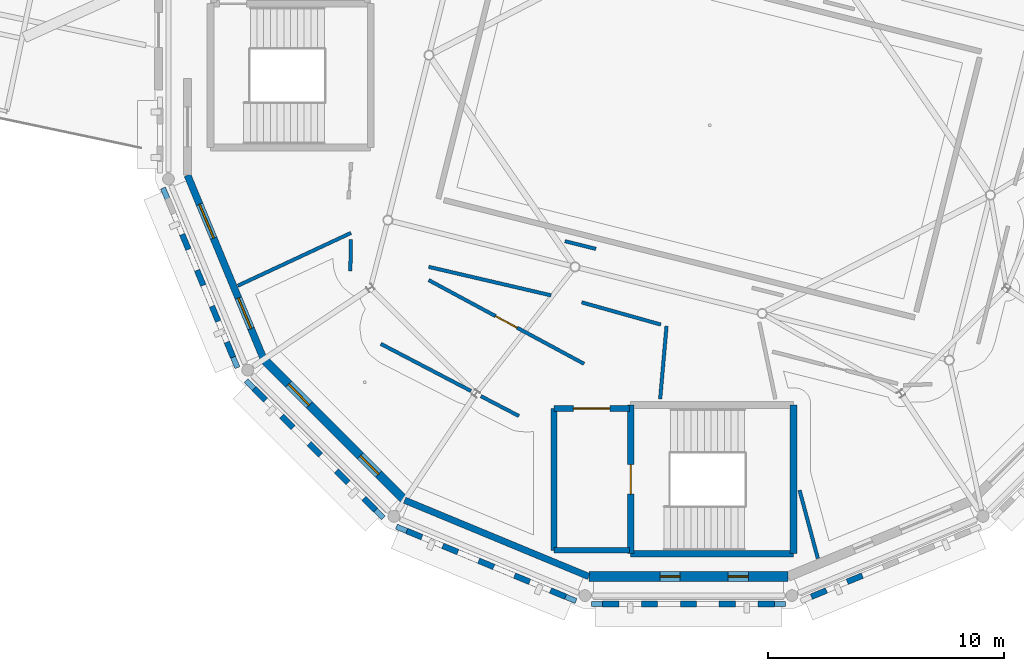
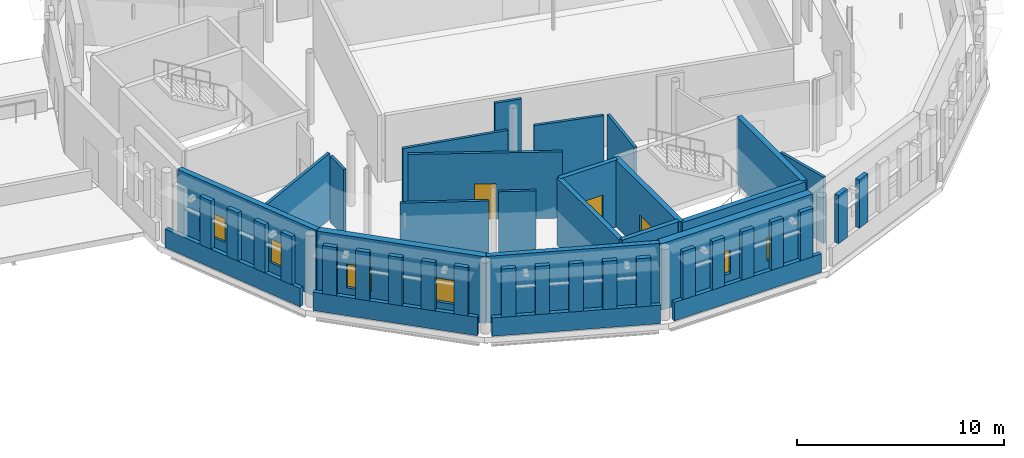
# One storey, part 63 of 90: 45 walls, 6 windows, 3 doors, 9 openings.
"""IFC4 building model written with IfcOpenShell, lengths in metres."""

from ifc_helpers import new_model, si_unit, direction, frame, frame_2d, origin, place, context, subcontext, project, spatial, rectangle, extrude, material, layer, layer_set, type_object, element, fill, save


model = new_model("IFC4")

# Units and contexts
model_context = context("Model", 3, precision=1e-05, world=origin(), true_north=direction((0.0, 1.0)))
body_context = subcontext(model_context, "Body", "Model", "MODEL_VIEW")
ifc_project = project(units=[si_unit("LENGTHUNIT", "METRE"), si_unit("AREAUNIT", "SQUARE_METRE"), si_unit("VOLUMEUNIT", "CUBIC_METRE"), si_unit("PLANEANGLEUNIT", "RADIAN"), si_unit("MASSUNIT", "GRAM", prefix="KILO")], contexts=[model_context])

# Site, building, storey
site_placement = place(None, origin())
site = spatial("IfcSite", under=ifc_project, at=site_placement, CompositionType="ELEMENT")
building_placement = place(site_placement, origin())
building = spatial("IfcBuilding", under=site, at=building_placement, Name="Wrenclough Park School", CompositionType="ELEMENT")
storey_placement = place(building_placement, frame((0.0, 0.0, 8.39990234375)))
storey = spatial("IfcBuildingStorey", under=building, at=storey_placement, Name="L02", CompositionType="ELEMENT", Elevation=8.39990234375)

# Walls
ifc_material_1 = material(Name="Perforated open-bond Staffordshire and Manchester brick screen pier", Category="masonry")
ifc_layer_1 = layer(ifc_material_1, 0.2451171875)
ifc_layer_set_1 = layer_set([ifc_layer_1], Name="Perforated open-bond Staffordshire and Manchester brick screen pier")
wall_type_1 = type_object("IfcWallType", Name="ENV-BS-PR245", PredefinedType="ELEMENTEDWALL", material=ifc_layer_set_1)
wall_1_placement = place(storey_placement, frame((134.063232421875, 19.77587890625, 1.090087890625), z_axis=(0.0, 0.0, 1.0), x_axis=(0.382757564877, -0.923848822335, 0.0)))
element("IfcWall", 1, at=wall_1_placement, inside=storey, type_object=wall_type_1, Name="D1 L02 perforated brick screen pier 0415", PredefinedType="ELEMENTEDWALL", context=body_context, shape_type="SweptSolid", body=[
    extrude(rectangle(XDim=0.690673828125, YDim=0.2451171875, at=frame_2d((0.34521484375, 0.0))), origin(), (0.0, 0.0, 1.0), 2.85009765625),
])
for number, where, z_axis, x_axis, name in (
    (2, (134.693115234375, 18.25537109375, 1.090087890625), (0.0, 0.0, 1.0), (0.38263262807, -0.923900574703, 0.0), "D1 L02 perforated brick screen pier 0416"),
    (3, (135.322998046875, 16.734619140625, 1.090087890625), (0.0, 0.0, 1.0), (0.38263262807, -0.923900574703, 0.0), "D1 L02 perforated brick screen pier 0417"),
    (4, (135.952880859375, 15.214111328125, 1.090087890625), (0.0, 0.0, 1.0), (0.38263262807, -0.923900574703, 0.0), "D1 L02 perforated brick screen pier 0418"),
):
    element("IfcWall", number, at=place(storey_placement, frame(where, z_axis=z_axis, x_axis=x_axis)), inside=storey, type_object=wall_type_1, Name=name, PredefinedType="ELEMENTEDWALL", context=body_context, shape_type="SweptSolid", body=[
        extrude(rectangle(XDim=0.69091796875, YDim=0.2451171875, at=frame_2d((0.345458984375, 0.0))), origin(), (0.0, 0.0, 1.0), 2.85009765625),
    ])
wall_2_placement = place(storey_placement, frame((137.104248046875, 13.248291015625, 1.090087890625), z_axis=(0.0, 0.0, 1.0), x_axis=(0.707283403329, -0.706930114916, 0.0)))
element("IfcWall", 5, at=wall_2_placement, inside=storey, type_object=wall_type_1, Name="D1 L02 perforated brick screen pier 0419", PredefinedType="ELEMENTEDWALL", context=body_context, shape_type="SweptSolid", body=[
    extrude(rectangle(XDim=0.691162109375, YDim=0.2451171875, at=frame_2d((0.345703125, 0.0))), origin(), (0.0, 0.0, 1.0), 2.85009765625),
])
wall_3_placement = place(storey_placement, frame((138.268310546875, 12.08447265625, 1.090087890625), z_axis=(0.0, 0.0, 1.0), x_axis=(0.707106781187, -0.707106781187, 0.0)))
element("IfcWall", 6, at=wall_3_placement, inside=storey, type_object=wall_type_1, Name="D1 L02 perforated brick screen pier 0420", PredefinedType="ELEMENTEDWALL", context=body_context, shape_type="SweptSolid", body=[
    extrude(rectangle(XDim=0.69091796875, YDim=0.2451171875, at=frame_2d((0.345458984375, 0.0))), origin(), (0.0, 0.0, 1.0), 2.85009765625),
])
wall_4_placement = place(storey_placement, frame((139.431884765625, 10.920654296875, 1.090087890625), z_axis=(0.0, 0.0, 1.0), x_axis=(0.707106781187, -0.707106781187, 0.0)))
element("IfcWall", 7, at=wall_4_placement, inside=storey, type_object=wall_type_1, Name="D1 L02 perforated brick screen pier 0421", PredefinedType="ELEMENTEDWALL", context=body_context, shape_type="SweptSolid", body=[
    extrude(rectangle(XDim=0.691162109375, YDim=0.2451171875, at=frame_2d((0.345703125, 0.0))), origin(), (0.0, 0.0, 1.0), 2.85009765625),
])
wall_5_placement = place(storey_placement, frame((140.595947265625, 9.7568359375, 1.090087890625), z_axis=(0.0, 0.0, 1.0), x_axis=(0.707106781187, -0.707106781187, 0.0)))
element("IfcWall", 8, at=wall_5_placement, inside=storey, type_object=wall_type_1, Name="D1 L02 perforated brick screen pier 0422", PredefinedType="ELEMENTEDWALL", context=body_context, shape_type="SweptSolid", body=[
    extrude(rectangle(XDim=0.69091796875, YDim=0.2451171875, at=frame_2d((0.345458984375, 0.0))), origin(), (0.0, 0.0, 1.0), 2.85009765625),
])
wall_6_placement = place(storey_placement, frame((141.759765625, 8.593017578125, 1.090087890625), z_axis=(0.0, 0.0, 1.0), x_axis=(0.706930114916, -0.707283403329, 0.0)))
element("IfcWall", 9, at=wall_6_placement, inside=storey, type_object=wall_type_1, Name="D1 L02 perforated brick screen pier 0423", PredefinedType="ELEMENTEDWALL", context=body_context, shape_type="SweptSolid", body=[
    extrude(rectangle(XDim=0.691162109375, YDim=0.2451171875, at=frame_2d((0.345703125, 0.0))), origin(), (0.0, 0.0, 1.0), 2.85009765625),
])
for number, where, z_axis, x_axis, name in (
    (10, (143.57568359375, 7.21728515625, 1.090087890625), (0.0, 0.0, 1.0), (0.923900574703, -0.38263262807, 0.0), "D1 L02 perforated brick screen pier 0424"),
    (11, (145.09619140625, 6.58740234375, 1.090087890625), (0.0, 0.0, 1.0), (0.923900574703, -0.38263262807, 0.0), "D1 L02 perforated brick screen pier 0425"),
    (12, (146.616943359375, 5.95751953125, 1.090087890625), (0.0, 0.0, 1.0), (0.923900574703, -0.38263262807, 0.0), "D1 L02 perforated brick screen pier 0426"),
):
    element("IfcWall", number, at=place(storey_placement, frame(where, z_axis=z_axis, x_axis=x_axis)), inside=storey, type_object=wall_type_1, Name=name, PredefinedType="ELEMENTEDWALL", context=body_context, shape_type="SweptSolid", body=[
        extrude(rectangle(XDim=0.69091796875, YDim=0.2451171875, at=frame_2d((0.345458984375, 0.0))), origin(), (0.0, 0.0, 1.0), 2.85009765625),
    ])
wall_7_placement = place(storey_placement, frame((148.1376953125, 5.32763671875, 1.090087890625), z_axis=(0.0, 0.0, 1.0), x_axis=(0.923848822335, -0.382757564877, 0.0)))
element("IfcWall", 13, at=wall_7_placement, inside=storey, type_object=wall_type_1, Name="D1 L02 perforated brick screen pier 0427", PredefinedType="ELEMENTEDWALL", context=body_context, shape_type="SweptSolid", body=[
    extrude(rectangle(XDim=0.690673828125, YDim=0.2451171875, at=frame_2d((0.34521484375, 0.0))), origin(), (0.0, 0.0, 1.0), 2.85009765625),
])
wall_8_placement = place(storey_placement, frame((149.658203125, 4.697998046875, 1.090087890625), z_axis=(0.0, 0.0, 1.0), x_axis=(0.92377564286, -0.382934147939, 0.0)))
element("IfcWall", 14, at=wall_8_placement, inside=storey, type_object=wall_type_1, Name="D1 L02 perforated brick screen pier 0428", PredefinedType="ELEMENTEDWALL", context=body_context, shape_type="SweptSolid", body=[
    extrude(rectangle(XDim=0.691162109375, YDim=0.2451171875, at=frame_2d((0.345703125, 0.0))), origin(), (0.0, 0.0, 1.0), 2.85009765625),
])
for number, where, z_axis, x_axis, name in (
    (15, (151.862548828125, 4.121826171875, 1.090087890625), (0.0, 0.0, 1.0), (1.0, 0.0, 0.0), "D1 L02 perforated brick screen pier 0429"),
    (16, (153.508544921875, 4.121826171875, 1.090087890625), (0.0, 0.0, 1.0), (1.0, 0.0, 0.0), "D1 L02 perforated brick screen pier 0430"),
    (17, (155.154541015625, 4.121826171875, 1.090087890625), (0.0, 0.0, 1.0), (1.0, 0.0, 0.0), "D1 L02 perforated brick screen pier 0431"),
    (18, (156.800537109375, 4.121826171875, 1.090087890625), (0.0, 0.0, 1.0), (1.0, 0.0, 0.0), "D1 L02 perforated brick screen pier 0432"),
    (19, (158.446533203125, 4.121826171875, 1.090087890625), (0.0, 0.0, 1.0), (1.0, 0.0, 0.0), "D1 L02 perforated brick screen pier 0433"),
):
    element("IfcWall", number, at=place(storey_placement, frame(where, z_axis=z_axis, x_axis=x_axis)), inside=storey, type_object=wall_type_1, Name=name, PredefinedType="ELEMENTEDWALL", context=body_context, shape_type="SweptSolid", body=[
        extrude(rectangle(XDim=0.69091796875, YDim=0.2451171875, at=frame_2d((0.345458984375, 0.0))), origin(), (0.0, 0.0, 1.0), 2.85009765625),
    ])
wall_9_placement = place(storey_placement, frame((160.703369140625, 4.433349609375, 1.090087890625), z_axis=(0.0, 0.0, 1.0), x_axis=(0.92377564286, 0.382934147939, 0.0)))
element("IfcWall", 20, at=wall_9_placement, inside=storey, type_object=wall_type_1, Name="D1 L02 perforated brick screen pier 0434", PredefinedType="ELEMENTEDWALL", context=body_context, shape_type="SweptSolid", body=[
    extrude(rectangle(XDim=0.691162109375, YDim=0.2451171875, at=frame_2d((0.345703125, 0.0))), origin(), (0.0, 0.0, 1.0), 2.85009765625),
])
wall_10_placement = place(storey_placement, frame((162.22412109375, 5.063232421875, 1.090087890625), z_axis=(0.0, 0.0, 1.0), x_axis=(0.923848822335, 0.382757564877, 0.0)))
element("IfcWall", 21, at=wall_10_placement, inside=storey, type_object=wall_type_1, Name="D1 L02 perforated brick screen pier 0435", PredefinedType="ELEMENTEDWALL", context=body_context, shape_type="SweptSolid", body=[
    extrude(rectangle(XDim=0.690673828125, YDim=0.2451171875, at=frame_2d((0.34521484375, 0.0))), origin(), (0.0, 0.0, 1.0), 2.85009765625),
])
ifc_material_2 = material(Name="Open-bond Manchester multi-stock brick spandrel screen", Category="masonry")
ifc_layer_2 = layer(ifc_material_2, 0.22509765625)
ifc_layer_set_2 = layer_set([ifc_layer_2], Name="Open-bond Manchester multi-stock brick spandrel screen")
wall_type_2 = type_object("IfcWallType", Name="ENV-BS-SP225", PredefinedType="ELEMENTEDWALL", material=ifc_layer_set_2)
for number, where, z_axis, x_axis, name in (
    (22, (133.250732421875, 21.73779296875, 0.0), (0.0, 0.0, 1.0), (0.382687155267, -0.923877990426, 0.0), "D1 L02 open-bond brick screen spandrel 0116"),
    (23, (136.7666015625, 13.5859375, 0.0), (0.0, 0.0, 1.0), (0.707106781187, -0.707106781187, 0.0), "D1 L02 open-bond brick screen spandrel 0117"),
    (24, (143.134521484375, 7.400146484375, 0.0), (0.0, 0.0, 1.0), (0.923877990426, -0.382687155267, 0.0), "D1 L02 open-bond brick screen spandrel 0118"),
):
    element("IfcWall", number, at=place(storey_placement, frame(where, z_axis=z_axis, x_axis=x_axis)), inside=storey, type_object=wall_type_2, Name=name, PredefinedType="ELEMENTEDWALL", context=body_context, shape_type="SweptSolid", body=[
        extrude(rectangle(XDim=8.229736328125, YDim=0.22509765625, at=frame_2d((4.11474609375, 0.0))), origin(), (0.0, 0.0, 1.0), 1.090087890625),
    ])
wall_11_placement = place(storey_placement, frame((151.385009765625, 4.121826171875, 0.0), z_axis=(0.0, 0.0, 1.0), x_axis=(1.0, 0.0, 0.0)))
element("IfcWall", 25, at=wall_11_placement, inside=storey, type_object=wall_type_2, Name="D1 L02 open-bond brick screen spandrel 0119", PredefinedType="ELEMENTEDWALL", context=body_context, shape_type="SweptSolid", body=[
    extrude(rectangle(XDim=8.22998046875, YDim=0.22509765625, at=frame_2d((4.114990234375, 0.0))), origin(), (0.0, 0.0, 1.0), 1.090087890625),
])
ifc_material_3 = material(Name="Link wing brick-faced cavity wall Concrete C32/40", Category="masonry")
ifc_layer_3 = layer(ifc_material_3, 0.27490234375)
ifc_layer_set_3 = layer_set([ifc_layer_3], Name="Link wing brick-faced cavity wall Concrete C32/40")
wall_type_3 = type_object("IfcWallType", Name="ENV-EW-275", PredefinedType="SOLIDWALL", material=ifc_layer_set_3)
wall_12_placement = place(storey_placement, frame((151.28076171875, 5.287841796875, 0.0), z_axis=(0.0, 0.0, 1.0), x_axis=(-0.923884604839, 0.382671186453, 0.0)))
element("IfcWall", 26, at=wall_12_placement, inside=storey, type_object=wall_type_3, Name="L02 insulated brick external wall 0206", PredefinedType="SOLIDWALL", context=body_context, shape_type="SweptSolid", body=[
    extrude(rectangle(XDim=8.438720703125, YDim=0.27490234375, at=frame_2d((4.21923828125, 0.0))), origin(), (0.0, 0.0, 1.0), 3.940185546875),
])

# Wall, openings, windows
ifc_material_4 = material(Name="Manchester multi-stock brick and Concrete C32/40 inner leaf", Category="masonry")
ifc_layer_4 = layer(ifc_material_4, 0.300048828125)
ifc_layer_set_4 = layer_set([ifc_layer_4], Name="Manchester multi-stock brick and Concrete C32/40 inner leaf")
wall_type_4 = type_object("IfcWallType", Name="ENV-EW-300", PredefinedType="SOLIDWALL", material=ifc_layer_set_4)
wall_13_placement = place(storey_placement, frame((137.51708984375, 14.484375, 0.0), z_axis=(0.0, 0.0, 1.0), x_axis=(-0.382671186453, 0.923884604839, 0.0)))
wall_13 = element("IfcWall", 27, at=wall_13_placement, inside=storey, type_object=wall_type_4, Name="L02 insulated brick external wall 0208", PredefinedType="SOLIDWALL", context=body_context, shape_type="SweptSolid", body=[
    extrude(rectangle(XDim=8.438720703125, YDim=0.300048828125, at=frame_2d((4.21923828125, 0.0))), origin(), (0.0, 0.0, 1.0), 3.940185546875),
])
opening_1_placement = place(wall_13_placement, frame((1.40966796875, 0.0, 0.85009765625)))
opening_1 = element("IfcOpeningElement", 28, at=opening_1_placement, cuts=wall_13, Name="Opening WN-05", PredefinedType="OPENING", context=body_context, shape_type="SweptSolid", body=[
    extrude(rectangle(XDim=1.39990234375, YDim=1.39990234375, at=frame_2d((0.699951171875, 0.699951171875))), frame((0.0, 0.159912109375, 0.0), z_axis=(0.0, -1.0, 0.0), x_axis=(1.0, 0.0, 0.0)), (0.0, 0.0, 1.0), 0.320068359375),
])
opening_2_placement = place(wall_13_placement, frame((5.553955078125, 0.0, 0.85009765625)))
opening_2 = element("IfcOpeningElement", 29, at=opening_2_placement, cuts=wall_13, Name="Opening WN-06", PredefinedType="OPENING", context=body_context, shape_type="SweptSolid", body=[
    extrude(rectangle(XDim=1.550048828125, YDim=1.39990234375, at=frame_2d((0.77490234375, 0.699951171875))), frame((0.0, 0.159912109375, 0.0), z_axis=(0.0, -1.0, 0.0), x_axis=(1.0, 0.0, 0.0)), (0.0, 0.0, 1.0), 0.320068359375),
])
ifc_material_5 = material(Name="Thermally broken aluminium and double-glazed low-e glass", Category="aluminium")
window_type_1 = type_object("IfcWindowType", Name="ENV-WN-05", PartitioningType="SINGLE_PANEL", PredefinedType="WINDOW", material=ifc_material_5)
window_1_placement = place(opening_1_placement, origin())
window_1 = element("IfcWindow", 30, at=window_1_placement, inside=storey, type_object=window_type_1, Name="L02 scheduled facade window 0340", OverallHeight=1.39990234375, OverallWidth=1.39990234375, PartitioningType="SINGLE_PANEL", PredefinedType="WINDOW", context=body_context, shape_type="SweptSolid", body=[
    extrude(rectangle(XDim=1.39990234375, YDim=1.39990234375, at=frame_2d((0.699951171875, 0.699951171875))), frame((0.0, 0.030029296875, 0.0), z_axis=(0.0, -1.0, 0.0), x_axis=(1.0, 0.0, 0.0)), (0.0, 0.0, 1.0), 0.06005859375),
])
fill(opening_1, window_1)
window_type_2 = type_object("IfcWindowType", Name="ENV-WN-06", PartitioningType="DOUBLE_PANEL_VERTICAL", PredefinedType="WINDOW", material=ifc_material_5)
window_2_placement = place(opening_2_placement, origin())
window_2 = element("IfcWindow", 31, at=window_2_placement, inside=storey, type_object=window_type_2, Name="L02 scheduled facade window 0341", OverallHeight=1.39990234375, OverallWidth=1.550048828125, PartitioningType="SINGLE_PANEL", PredefinedType="WINDOW", context=body_context, shape_type="SweptSolid", body=[
    extrude(rectangle(XDim=1.550048828125, YDim=1.39990234375, at=frame_2d((0.77490234375, 0.699951171875))), frame((0.0, 0.030029296875, 0.0), z_axis=(0.0, -1.0, 0.0), x_axis=(1.0, 0.0, 0.0)), (0.0, 0.0, 1.0), 0.06005859375),
])
fill(opening_2, window_2)

ifc_material_6 = material(Name="Faceted courtyard brick-cavity wall Concrete C35/45", Category="masonry")
ifc_layer_5 = layer(ifc_material_6, 0.364990234375)
ifc_layer_set_5 = layer_set([ifc_layer_5], Name="Faceted courtyard brick-cavity wall Concrete C35/45")
wall_type_5 = type_object("IfcWallType", Name="ENV-EW-365", PredefinedType="SOLIDWALL", material=ifc_layer_set_5)
wall_14_placement = place(storey_placement, frame((143.484375, 8.51708984375, 0.0), z_axis=(0.0, 0.0, 1.0), x_axis=(-0.707106781187, 0.707106781187, 0.0)))
wall_14 = element("IfcWall", 32, at=wall_14_placement, inside=storey, type_object=wall_type_5, Name="L02 insulated brick external wall 0207", PredefinedType="SOLIDWALL", context=body_context, shape_type="SweptSolid", body=[
    extrude(rectangle(XDim=8.43896484375, YDim=0.364990234375, at=frame_2d((4.219482421875, 0.0))), origin(), (0.0, 0.0, 1.0), 3.940185546875),
])
opening_3_placement = place(wall_14_placement, frame((1.559814453125, 0.0, 0.85009765625)))
opening_3 = element("IfcOpeningElement", 33, at=opening_3_placement, cuts=wall_14, Name="Opening WN-03", PredefinedType="OPENING", context=body_context, shape_type="SweptSolid", body=[
    extrude(rectangle(XDim=1.10009765625, YDim=1.39990234375, at=frame_2d((0.550048828125, 0.699951171875))), frame((0.0, 0.1923828125, 0.0), z_axis=(0.0, -1.0, 0.0), x_axis=(1.0, 0.0, 0.0)), (0.0, 0.0, 1.0), 0.385009765625),
])
opening_4_placement = place(wall_14_placement, frame((5.7041015625, 0.0, 0.85009765625)))
opening_4 = element("IfcOpeningElement", 34, at=opening_4_placement, cuts=wall_14, Name="Opening WN-04", PredefinedType="OPENING", context=body_context, shape_type="SweptSolid", body=[
    extrude(rectangle(XDim=1.25, YDim=1.39990234375, at=frame_2d((0.625, 0.699951171875))), frame((0.0, 0.1923828125, 0.0), z_axis=(0.0, -1.0, 0.0), x_axis=(1.0, 0.0, 0.0)), (0.0, 0.0, 1.0), 0.385009765625),
])
window_type_3 = type_object("IfcWindowType", Name="ENV-WN-03", PartitioningType="SINGLE_PANEL", PredefinedType="WINDOW", material=ifc_material_5)
window_3_placement = place(opening_3_placement, origin())
window_3 = element("IfcWindow", 35, at=window_3_placement, inside=storey, type_object=window_type_3, Name="L02 scheduled facade window 0338", OverallHeight=1.39990234375, OverallWidth=1.10009765625, PartitioningType="SINGLE_PANEL", PredefinedType="WINDOW", context=body_context, shape_type="SweptSolid", body=[
    extrude(rectangle(XDim=1.10009765625, YDim=1.39990234375, at=frame_2d((0.550048828125, 0.699951171875))), frame((0.0, 0.030029296875, 0.0), z_axis=(0.0, -1.0, 0.0), x_axis=(1.0, 0.0, 0.0)), (0.0, 0.0, 1.0), 0.06005859375),
])
fill(opening_3, window_3)
window_type_4 = type_object("IfcWindowType", Name="ENV-WN-04", PartitioningType="SINGLE_PANEL", PredefinedType="WINDOW", material=ifc_material_5)
window_4_placement = place(opening_4_placement, origin())
window_4 = element("IfcWindow", 36, at=window_4_placement, inside=storey, type_object=window_type_4, Name="L02 scheduled facade window 0339", OverallHeight=1.39990234375, OverallWidth=1.25, PartitioningType="SINGLE_PANEL", PredefinedType="WINDOW", context=body_context, shape_type="SweptSolid", body=[
    extrude(rectangle(XDim=1.25, YDim=1.39990234375, at=frame_2d((0.625, 0.699951171875))), frame((0.0, 0.030029296875, 0.0), z_axis=(0.0, -1.0, 0.0), x_axis=(1.0, 0.0, 0.0)), (0.0, 0.0, 1.0), 0.06005859375),
])
fill(opening_4, window_4)

ifc_material_7 = material(Name="Insulated brick-clad sports hall wall Concrete C40/50", Category="masonry")
ifc_layer_6 = layer(ifc_material_7, 0.425048828125)
ifc_layer_set_6 = layer_set([ifc_layer_6], Name="Insulated brick-clad sports hall wall Concrete C40/50")
wall_type_6 = type_object("IfcWallType", Name="ENV-EW-425", PredefinedType="SOLIDWALL", material=ifc_layer_set_6)
wall_15_placement = place(storey_placement, frame((159.71923828125, 5.287841796875, 0.0), z_axis=(0.0, 0.0, 1.0), x_axis=(-1.0, 0.0, 0.0)))
wall_15 = element("IfcWall", 37, at=wall_15_placement, inside=storey, type_object=wall_type_6, Name="L02 insulated brick external wall 0205", PredefinedType="SOLIDWALL", context=body_context, shape_type="SweptSolid", body=[
    extrude(rectangle(XDim=8.4384765625, YDim=0.425048828125, at=frame_2d((4.21923828125, 0.0))), origin(), (0.0, 0.0, 1.0), 3.940185546875),
])
opening_5_placement = place(wall_15_placement, frame((1.684814453125, 0.0, 0.85009765625)))
opening_5 = element("IfcOpeningElement", 38, at=opening_5_placement, cuts=wall_15, Name="Opening WN-01", PredefinedType="OPENING", context=body_context, shape_type="SweptSolid", body=[
    extrude(rectangle(XDim=0.85009765625, YDim=1.39990234375, at=frame_2d((0.425048828125, 0.699951171875))), frame((0.0, 0.222412109375, 0.0), z_axis=(0.0, -1.0, 0.0), x_axis=(1.0, 0.0, 0.0)), (0.0, 0.0, 1.0), 0.445068359375),
])
opening_6_placement = place(wall_15_placement, frame((4.5693359375, 0.0, 0.85009765625)))
opening_6 = element("IfcOpeningElement", 39, at=opening_6_placement, cuts=wall_15, Name="Opening WN-01", PredefinedType="OPENING", context=body_context, shape_type="SweptSolid", body=[
    extrude(rectangle(XDim=0.85009765625, YDim=1.39990234375, at=frame_2d((0.425048828125, 0.699951171875))), frame((0.0, 0.222412109375, 0.0), z_axis=(0.0, -1.0, 0.0), x_axis=(1.0, 0.0, 0.0)), (0.0, 0.0, 1.0), 0.445068359375),
])
window_type_5 = type_object("IfcWindowType", Name="ENV-WN-01", PartitioningType="SINGLE_PANEL", PredefinedType="WINDOW", material=ifc_material_5)
window_5_placement = place(opening_5_placement, origin())
window_5 = element("IfcWindow", 40, at=window_5_placement, inside=storey, type_object=window_type_5, Name="L02 scheduled facade window 0336", OverallHeight=1.39990234375, OverallWidth=0.85009765625, PartitioningType="SINGLE_PANEL", PredefinedType="WINDOW", context=body_context, shape_type="SweptSolid", body=[
    extrude(rectangle(XDim=0.85009765625, YDim=1.39990234375, at=frame_2d((0.425048828125, 0.699951171875))), frame((0.0, 0.030029296875, 0.0), z_axis=(0.0, -1.0, 0.0), x_axis=(1.0, 0.0, 0.0)), (0.0, 0.0, 1.0), 0.06005859375),
])
fill(opening_5, window_5)
window_6_placement = place(opening_6_placement, origin())
window_6 = element("IfcWindow", 41, at=window_6_placement, inside=storey, type_object=window_type_5, Name="L02 scheduled facade window 0337", OverallHeight=1.39990234375, OverallWidth=0.85009765625, PartitioningType="SINGLE_PANEL", PredefinedType="WINDOW", context=body_context, shape_type="SweptSolid", body=[
    extrude(rectangle(XDim=0.85009765625, YDim=1.39990234375, at=frame_2d((0.425048828125, 0.699951171875))), frame((0.0, 0.030029296875, 0.0), z_axis=(0.0, -1.0, 0.0), x_axis=(1.0, 0.0, 0.0)), (0.0, 0.0, 1.0), 0.06005859375),
])
fill(opening_6, window_6)

# Wall
ifc_material_8 = material(Name="Concrete C35/45", Category="concrete")
ifc_layer_7 = layer(ifc_material_8, 0.25)
ifc_layer_set_7 = layer_set([ifc_layer_7], Name="Concrete C35/45")
wall_type_7 = type_object("IfcWallType", Name="INT-CW-250", PredefinedType="SHEAR", material=ifc_layer_set_7)
wall_16_placement = place(storey_placement, frame((149.800048828125, 6.39990234375, 0.0), z_axis=(0.0, 0.0, 1.0), x_axis=(1.0, 0.0, 0.0)))
element("IfcWall", 42, at=wall_16_placement, inside=storey, type_object=wall_type_7, Name="Core C1B L02 lobby fire wall south", PredefinedType="SHEAR", context=body_context, shape_type="SweptSolid", body=[
    extrude(rectangle(XDim=3.199951171875, YDim=0.25, at=frame_2d((1.60009765625, 0.0))), origin(), (0.0, 0.0, 1.0), 3.9501953125),
])

# Wall, opening, door
wall_17_placement = place(storey_placement, frame((153.0, 12.39990234375, 0.0), z_axis=(0.0, 0.0, 1.0), x_axis=(-1.0, 0.0, 0.0)))
wall_17 = element("IfcWall", 43, at=wall_17_placement, inside=storey, type_object=wall_type_7, Name="Core C1B L02 lobby fire wall north", PredefinedType="SHEAR", context=body_context, shape_type="SweptSolid", body=[
    extrude(rectangle(XDim=3.199951171875, YDim=0.25, at=frame_2d((1.60009765625, 0.0))), origin(), (0.0, 0.0, 1.0), 3.9501953125),
])
opening_7_placement = place(wall_17_placement, frame((0.824951171875, 0.0, 0.0)))
opening_7 = element("IfcOpeningElement", 44, at=opening_7_placement, cuts=wall_17, Name="Opening DLB-C1B-L02", PredefinedType="OPENING", context=body_context, shape_type="SweptSolid", body=[
    extrude(rectangle(XDim=1.550048828125, YDim=2.14990234375, at=frame_2d((0.77490234375, 1.074951171875))), frame((0.0, 0.135009765625, 0.0), z_axis=(0.0, -1.0, 0.0), x_axis=(1.0, 0.0, 0.0)), (0.0, 0.0, 1.0), 0.27001953125),
])
ifc_material_9 = material(Name="Protected stair lobby double fire door assembly", Category="wood")
door_type_1 = type_object("IfcDoorType", Name="INT-DR-LB155", OperationType="NOTDEFINED", PredefinedType="DOOR", material=ifc_material_9)
door_1_placement = place(opening_7_placement, origin())
door_1 = element("IfcDoor", 45, at=door_1_placement, inside=storey, type_object=door_type_1, Name="Core C1B L02 protected lobby fire door", OperationType="DOUBLE_DOOR_SINGLE_SWING", OverallHeight=2.14990234375, OverallWidth=1.550048828125, PredefinedType="DOOR", context=body_context, shape_type="SweptSolid", body=[
    extrude(rectangle(XDim=1.550048828125, YDim=2.14990234375, at=frame_2d((0.77490234375, 1.074951171875))), frame((0.0, 0.02490234375, 0.0), z_axis=(0.0, -1.0, 0.0), x_axis=(1.0, 0.0, 0.0)), (0.0, 0.0, 1.0), 0.050048828125),
])
fill(opening_7, door_1)

# Walls
wall_18_placement = place(storey_placement, frame((149.800048828125, 12.39990234375, 0.0), z_axis=(0.0, 0.0, 1.0), x_axis=(0.0, -1.0, 0.0)))
element("IfcWall", 46, at=wall_18_placement, inside=storey, type_object=wall_type_7, Name="Core C1B L02 lobby fire wall west", PredefinedType="SHEAR", context=body_context, shape_type="SweptSolid", body=[
    extrude(rectangle(XDim=6.0, YDim=0.25, at=frame_2d((3.0, 0.0))), origin(), (0.0, 0.0, 1.0), 3.9501953125),
])
ifc_material_10 = material(Name="Concrete C40/50", Category="concrete")
ifc_layer_8 = layer(ifc_material_10, 0.2900390625)
ifc_layer_set_8 = layer_set([ifc_layer_8], Name="Concrete C40/50")
wall_type_8 = type_object("IfcWallType", Name="INT-CW-290", PredefinedType="SHEAR", material=ifc_layer_set_8)
wall_19_placement = place(storey_placement, frame((153.054931640625, 6.2548828125, 0.0), z_axis=(0.0, 0.0, 1.0), x_axis=(1.0, 0.0, 0.0)))
element("IfcWall", 47, at=wall_19_placement, inside=storey, type_object=wall_type_8, Name="Core C1B L02 south shear wall", PredefinedType="SHEAR", context=body_context, shape_type="SweptSolid", body=[
    extrude(rectangle(XDim=6.89013671875, YDim=0.2900390625, at=frame_2d((3.445068359375, 0.0))), origin(), (0.0, 0.0, 1.0), 3.9501953125),
])
wall_20_placement = place(storey_placement, frame((159.945068359375, 6.2548828125, 0.0), z_axis=(0.0, 0.0, 1.0), x_axis=(0.0, 1.0, 0.0)))
element("IfcWall", 48, at=wall_20_placement, inside=storey, type_object=wall_type_8, Name="Core C1B L02 east shear wall", PredefinedType="SHEAR", context=body_context, shape_type="SweptSolid", body=[
    extrude(rectangle(XDim=6.2900390625, YDim=0.2900390625, at=frame_2d((3.14501953125, 0.0))), origin(), (0.0, 0.0, 1.0), 3.9501953125),
])

# Wall, opening, door
wall_21_placement = place(storey_placement, frame((153.054931640625, 12.544921875, 0.0), z_axis=(0.0, 0.0, 1.0), x_axis=(0.0, -1.0, 0.0)))
wall_21 = element("IfcWall", 49, at=wall_21_placement, inside=storey, type_object=wall_type_8, Name="Core C1B L02 west shear wall", PredefinedType="SHEAR", context=body_context, shape_type="SweptSolid", body=[
    extrude(rectangle(XDim=6.2900390625, YDim=0.2900390625, at=frame_2d((3.14501953125, 0.0))), origin(), (0.0, 0.0, 1.0), 3.9501953125),
])
opening_8_placement = place(wall_21_placement, frame((2.52001953125, 0.0, 0.0)))
opening_8 = element("IfcOpeningElement", 50, at=opening_8_placement, cuts=wall_21, Name="Opening DST-C1B-L02", PredefinedType="OPENING", context=body_context, shape_type="SweptSolid", body=[
    extrude(rectangle(XDim=1.25, YDim=2.10009765625, at=frame_2d((0.625, 1.050048828125))), frame((0.0, 0.155029296875, 0.0), z_axis=(0.0, -1.0, 0.0), x_axis=(1.0, 0.0, 0.0)), (0.0, 0.0, 1.0), 0.31005859375),
])
ifc_material_11 = material(Name="Wide protected escape stair fire door assembly", Category="wood")
door_type_2 = type_object("IfcDoorType", Name="INT-DR-ST125", OperationType="NOTDEFINED", PredefinedType="DOOR", material=ifc_material_11)
door_2_placement = place(opening_8_placement, origin())
door_2 = element("IfcDoor", 51, at=door_2_placement, inside=storey, type_object=door_type_2, Name="Stair ST-09 L02 fire door", OperationType="SINGLE_SWING_LEFT", OverallHeight=2.10009765625, OverallWidth=1.25, PredefinedType="DOOR", context=body_context, shape_type="SweptSolid", body=[
    extrude(rectangle(XDim=1.25, YDim=2.10009765625, at=frame_2d((0.625, 1.050048828125))), frame((0.0, 0.02490234375, 0.0), z_axis=(0.0, -1.0, 0.0), x_axis=(1.0, 0.0, 0.0)), (0.0, 0.0, 1.0), 0.050048828125),
])
fill(opening_8, door_2)

# Walls
ifc_material_12 = material(Name="Protected corridor partition", Category="gypsum")
ifc_layer_9 = layer(ifc_material_12, 0.14990234375)
ifc_layer_set_9 = layer_set([ifc_layer_9], Name="Protected corridor partition")
wall_type_9 = type_object("IfcWallType", Name="INT-PW-150", PredefinedType="PARTITIONING", material=ifc_layer_set_9)
wall_22_placement = place(storey_placement, frame((141.208251953125, 19.835693359375, 0.0), z_axis=(0.0, 0.0, 1.0), x_axis=(-0.906301055213, -0.422632697882, 0.0)))
element("IfcWall", 52, at=wall_22_placement, inside=storey, type_object=wall_type_9, Name="L02 internal partition 0307", PredefinedType="PARTITIONING", context=body_context, shape_type="SweptSolid", body=[
    extrude(rectangle(XDim=5.287841796875, YDim=0.14990234375, at=frame_2d((2.64404296875, 0.0))), origin(), (0.0, 0.0, 1.0), 3.9150390625),
])
wall_23_placement = place(storey_placement, frame((154.302001953125, 12.804931640625, 0.0), z_axis=(0.0, 0.0, 1.0), x_axis=(0.08712978082, 0.996196969125, 0.0)))
element("IfcWall", 53, at=wall_23_placement, inside=storey, type_object=wall_type_9, Name="L02 internal partition 0308", PredefinedType="PARTITIONING", context=body_context, shape_type="SweptSolid", body=[
    extrude(rectangle(XDim=3.09619140625, YDim=0.14990234375, at=frame_2d((1.548095703125, 0.0))), origin(), (0.0, 0.0, 1.0), 3.9150390625),
])
wall_24_placement = place(storey_placement, frame((154.3310546875, 15.95703125, 0.0), z_axis=(0.0, 0.0, 1.0), x_axis=(-0.96284886492, 0.270040854913, 0.0)))
element("IfcWall", 54, at=wall_24_placement, inside=storey, type_object=wall_type_9, Name="L02 internal partition 0309", PredefinedType="PARTITIONING", context=body_context, shape_type="SweptSolid", body=[
    extrude(rectangle(XDim=3.481689453125, YDim=0.14990234375, at=frame_2d((1.74072265625, 0.0))), origin(), (0.0, 0.0, 1.0), 3.9150390625),
])
wall_25_placement = place(storey_placement, frame((151.581298828125, 19.16015625, 0.0), z_axis=(0.0, 0.0, 1.0), x_axis=(-0.970301811202, 0.241897488986, 0.0)))
element("IfcWall", 55, at=wall_25_placement, inside=storey, type_object=wall_type_9, Name="L02 internal partition 0310", PredefinedType="PARTITIONING", context=body_context, shape_type="SweptSolid", body=[
    extrude(rectangle(XDim=1.350341796875, YDim=0.14990234375, at=frame_2d((0.67529296875, 0.0))), origin(), (0.0, 0.0, 1.0), 3.9150390625),
])
wall_26_placement = place(storey_placement, frame((149.679443359375, 17.194091796875, 0.0), z_axis=(0.0, 0.0, 1.0), x_axis=(-0.973924106984, 0.226874048396, 0.0)))
element("IfcWall", 56, at=wall_26_placement, inside=storey, type_object=wall_type_9, Name="L02 internal partition 0311", PredefinedType="PARTITIONING", context=body_context, shape_type="SweptSolid", body=[
    extrude(rectangle(XDim=5.318115234375, YDim=0.14990234375, at=frame_2d((2.6591796875, 0.0))), origin(), (0.0, 0.0, 1.0), 3.9150390625),
])

# Wall, opening, door
wall_27_placement = place(storey_placement, frame((144.5, 17.839599609375, 0.0), z_axis=(0.0, 0.0, 1.0), x_axis=(0.880350401945, -0.474323908101, 0.0)))
wall_27 = element("IfcWall", 57, at=wall_27_placement, inside=storey, type_object=wall_type_9, Name="L02 internal partition 0312", PredefinedType="PARTITIONING", context=body_context, shape_type="SweptSolid", body=[
    extrude(rectangle(XDim=7.470947265625, YDim=0.14990234375, at=frame_2d((3.7353515625, 0.0))), origin(), (0.0, 0.0, 1.0), 3.9150390625),
])
opening_9_placement = place(wall_27_placement, frame((3.215576171875, 0.0, 0.0)))
opening_9 = element("IfcOpeningElement", 58, at=opening_9_placement, cuts=wall_27, Name="Opening DR-L02-059", PredefinedType="OPENING", context=body_context, shape_type="SweptSolid", body=[
    extrude(rectangle(XDim=1.0400390625, YDim=2.10009765625, at=frame_2d((0.52001953125, 1.050048828125))), frame((0.0, 0.0849609375, 0.0), z_axis=(0.0, -1.0, 0.0), x_axis=(1.0, 0.0, 0.0)), (0.0, 0.0, 1.0), 0.169921875),
])
ifc_material_13 = material(Name="SEN accessible teaching room door assembly", Category="wood")
door_type_3 = type_object("IfcDoorType", Name="INT-DR-CL104", OperationType="NOTDEFINED", PredefinedType="DOOR", material=ifc_material_13)
door_3_placement = place(opening_9_placement, origin())
door_3 = element("IfcDoor", 59, at=door_3_placement, inside=storey, type_object=door_type_3, Name="South Coaching Classroom door DR-L02-059", OperationType="SINGLE_SWING_RIGHT", OverallHeight=2.10009765625, OverallWidth=1.0400390625, PredefinedType="DOOR", context=body_context, shape_type="SweptSolid", body=[
    extrude(rectangle(XDim=1.0400390625, YDim=2.10009765625, at=frame_2d((0.52001953125, 1.050048828125))), frame((0.0, 0.02490234375, 0.0), z_axis=(0.0, -1.0, 0.0), x_axis=(1.0, 0.0, 0.0)), (0.0, 0.0, 1.0), 0.050048828125),
])
fill(opening_9, door_3)

# Walls
wall_28_placement = place(storey_placement, frame((148.31982421875, 12.085205078125, 0.0), z_axis=(0.0, 0.0, 1.0), x_axis=(-0.886363704314, 0.462989615084, 0.0)))
element("IfcWall", 60, at=wall_28_placement, inside=storey, type_object=wall_type_9, Name="L02 internal partition 0313", PredefinedType="PARTITIONING", context=body_context, shape_type="SweptSolid", body=[
    extrude(rectangle(XDim=1.811767578125, YDim=0.14990234375, at=frame_2d((0.90576171875, 0.0))), origin(), (0.0, 0.0, 1.0), 3.9150390625),
])
wall_29_placement = place(storey_placement, frame((146.291015625, 13.14501953125, 0.0), z_axis=(0.0, 0.0, 1.0), x_axis=(-0.886370383777, 0.462976827457, 0.0)))
element("IfcWall", 61, at=wall_29_placement, inside=storey, type_object=wall_type_9, Name="L02 internal partition 0314", PredefinedType="PARTITIONING", context=body_context, shape_type="SweptSolid", body=[
    extrude(rectangle(XDim=4.30517578125, YDim=0.14990234375, at=frame_2d((2.152587890625, 0.0))), origin(), (0.0, 0.0, 1.0), 3.384033203125),
])
wall_30_placement = place(storey_placement, frame((141.18359375, 18.233642578125, 0.0), z_axis=(0.0, 0.0, 1.0), x_axis=(0.015300568579, 0.999882939449, 0.0)))
element("IfcWall", 62, at=wall_30_placement, inside=storey, type_object=wall_type_9, Name="L02 internal partition 0315", PredefinedType="PARTITIONING", context=body_context, shape_type="SweptSolid", body=[
    extrude(rectangle(XDim=1.324462890625, YDim=0.14990234375, at=frame_2d((0.662109375, 0.0))), origin(), (0.0, 0.0, 1.0), 3.9150390625),
])
wall_31_placement = place(storey_placement, frame((160.205078125, 8.940673828125, 0.0), z_axis=(0.0, 0.0, 1.0), x_axis=(0.258795954476, -0.965932013108, 0.0)))
element("IfcWall", 63, at=wall_31_placement, inside=storey, type_object=wall_type_9, Name="L02 internal partition 0322", PredefinedType="PARTITIONING", context=body_context, shape_type="SweptSolid", body=[
    extrude(rectangle(XDim=2.989501953125, YDim=0.14990234375, at=frame_2d((1.49462890625, 0.0))), origin(), (0.0, 0.0, 1.0), 3.9150390625),
])

save(model, "model.ifc")
